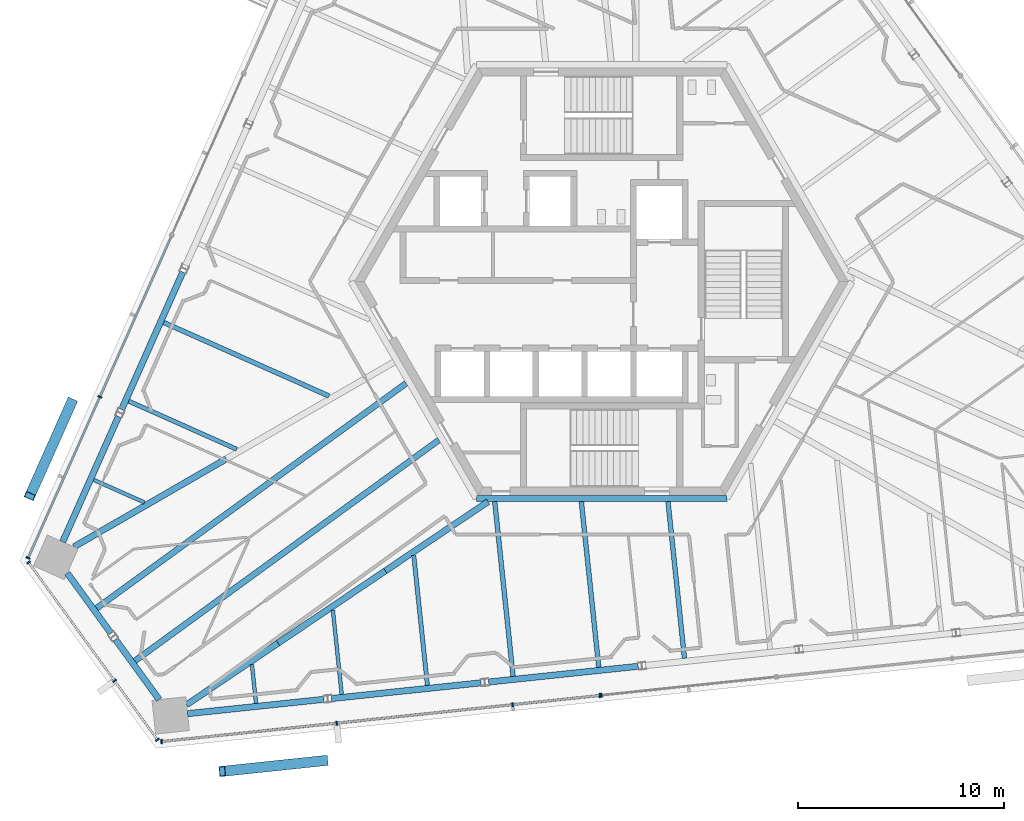
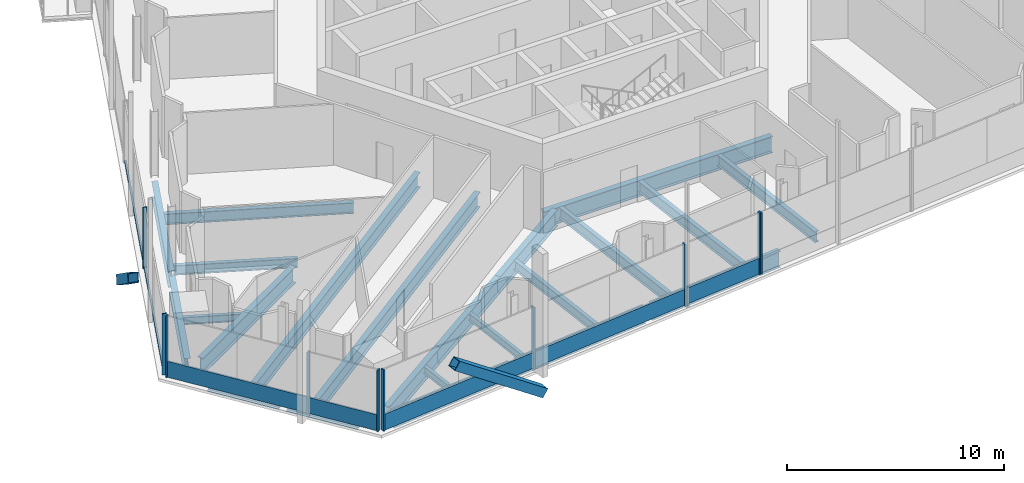
# One storey, part 4 of 21: 23 beams, 19 members, 4 elements without a shape of their own.
"""IFC4 building model written with IfcOpenShell, lengths in metres."""

from ifc_helpers import new_model, si_unit, direction, frame, origin, origin_2d, place, context, subcontext, project, spatial, rectangle, hollow_rectangle, i_section, extrude, source, transform, mapped, material, material_profile, profile_set, type_object, element, aggregate, save


model = new_model("IFC4")

# Units and contexts
model_context = context("Model", 3, precision=1e-05, world=origin(), true_north=direction((0.0, 1.0)))
body_context = subcontext(model_context, "Body", "Model", "MODEL_VIEW")
ifc_project = project(units=[si_unit("LENGTHUNIT", "METRE"), si_unit("AREAUNIT", "SQUARE_METRE"), si_unit("VOLUMEUNIT", "CUBIC_METRE"), si_unit("PLANEANGLEUNIT", "RADIAN"), si_unit("MASSUNIT", "GRAM", prefix="KILO")], contexts=[model_context])

# Site, building, storey
site_placement = place(None, origin())
site = spatial("IfcSite", under=ifc_project, at=site_placement, CompositionType="ELEMENT")
building_placement = place(site_placement, origin())
building = spatial("IfcBuilding", under=site, at=building_placement, Name="Triune Harvest Tower", CompositionType="ELEMENT")
storey_placement = place(building_placement, frame((0.0, 0.0, 248.5)))
storey = spatial("IfcBuildingStorey", under=building, at=storey_placement, Name="L65", CompositionType="ELEMENT", Elevation=248.5)

# Beams
ifc_material_1 = material(Name="Steel ASTM A992 Gr 50", Category="steel")
ifc_material_profile_1 = material_profile(ifc_material_1, i_section(OverallWidth=0.3046875, OverallDepth=0.914306640625, WebThickness=0.0166015625, FlangeThickness=0.02587890625, at=origin_2d()), Name="W36x160")
ifc_profile_set_1 = profile_set([ifc_material_profile_1], Name="Steel ASTM A992 Gr 50")
beam_type_1 = type_object("IfcBeamType", Name="CG-1 Core ring girder W36x160", PredefinedType="BEAM", material=ifc_profile_set_1)
shared_shape_1 = source(origin(), body_context, "Body", "SweptSolid", [
    extrude(i_section(OverallWidth=0.3046875, OverallDepth=0.914306640625, WebThickness=0.0166015625, FlangeThickness=0.02587890625, at=origin_2d()), origin(), (0.0, 0.0, 1.0), 12.17578125),
])
beam_1_placement = place(storey_placement, frame((-6.087890625, -10.544677734375, -0.6171875), z_axis=(1.0, 0.0, 0.0), x_axis=(0.0, 1.0, 0.0)))
element("IfcBeam", 1, at=beam_1_placement, inside=storey, type_object=beam_type_1, Name="beam/L65/CG5", PredefinedType="BEAM", context=body_context, shape_type="MappedRepresentation", body=[
    mapped(shared_shape_1, transform((0.0, 0.0, 0.0), scale=1.0)),
])
ifc_material_2 = material(Name="Steel ASTM A992 Gr 50", Category="steel")
ifc_material_profile_2 = material_profile(ifc_material_2, i_section(OverallWidth=0.3046875, OverallDepth=0.914306640625, WebThickness=0.0166015625, FlangeThickness=0.02587890625, at=origin_2d()), Name="W36x160")
ifc_profile_set_2 = profile_set([ifc_material_profile_2], Name="Steel ASTM A992 Gr 50")
beam_type_2 = type_object("IfcBeamType", Name="HG-3 Hip girder W36x160", PredefinedType="BEAM", material=ifc_profile_set_2)
shared_shape_2 = source(origin(), body_context, "Body", "SweptSolid", [
    extrude(i_section(OverallWidth=0.3046875, OverallDepth=0.914306640625, WebThickness=0.0166015625, FlangeThickness=0.02587890625, at=origin_2d()), origin(), (0.0, 0.0, 1.0), 6.293701171875),
])
beam_2_placement = place(storey_placement, frame((-15.72802734375, -17.576904296875, -0.6171875), z_axis=(0.829391075311, 0.558668456416, 0.0), x_axis=(-0.558668456416, 0.829391075311, 0.0)))
element("IfcBeam", 2, at=beam_2_placement, inside=storey, type_object=beam_type_2, Name="beam/L65/HG8", PredefinedType="BEAM", context=body_context, shape_type="MappedRepresentation", body=[
    mapped(shared_shape_2, transform((0.0, 0.0, 0.0), scale=1.0)),
])
shared_shape_3 = source(origin(), body_context, "Body", "SweptSolid", [
    extrude(i_section(OverallWidth=0.3046875, OverallDepth=0.914306640625, WebThickness=0.0166015625, FlangeThickness=0.02587890625, at=origin_2d()), origin(), (0.0, 0.0, 1.0), 6.02099609375),
])
beam_3_placement = place(storey_placement, frame((-10.508056640625, -14.060791015625, -0.6171875), z_axis=(0.829383245618, 0.558680080088, 0.0), x_axis=(-0.558680080088, 0.829383245618, 0.0)))
element("IfcBeam", 3, at=beam_3_placement, inside=storey, type_object=beam_type_2, Name="beam/L65/HG9", PredefinedType="BEAM", context=body_context, shape_type="MappedRepresentation", body=[
    mapped(shared_shape_3, transform((0.0, 0.0, 0.0), scale=1.0)),
])
ifc_material_3 = material(Name="Steel ASTM A992 Gr 50", Category="steel")
ifc_material_profile_3 = material_profile(ifc_material_3, i_section(OverallWidth=0.3046875, OverallDepth=0.914306640625, WebThickness=0.0166015625, FlangeThickness=0.02587890625, at=origin_2d()), Name="W36x160")
ifc_profile_set_3 = profile_set([ifc_material_profile_3], Name="Steel ASTM A992 Gr 50")
beam_type_3 = type_object("IfcBeamType", Name="SB-1 Spandrel beam W36x160", PredefinedType="SPANDREL", material=ifc_profile_set_3)
shared_shape_4 = source(origin(), body_context, "Body", "SweptSolid", [
    extrude(i_section(OverallWidth=0.3046875, OverallDepth=0.914306640625, WebThickness=0.0166015625, FlangeThickness=0.02587890625, at=origin_2d()), origin(), (0.0, 0.0, 1.0), 6.67041015625),
])
beam_4_placement = place(storey_placement, frame((-20.127685546875, -21.007080078125, -0.6171875), z_axis=(0.994521485501, 0.104532362822, 0.0), x_axis=(-0.104532362822, 0.994521485501, 0.0)))
element("IfcBeam", 4, at=beam_4_placement, inside=storey, type_object=beam_type_3, Name="beam/L65/SB17", PredefinedType="SPANDREL", context=body_context, shape_type="MappedRepresentation", body=[
    mapped(shared_shape_4, transform((0.0, 0.0, 0.0), scale=1.0)),
])
shared_shape_5 = source(origin(), body_context, "Body", "SweptSolid", [
    extrude(i_section(OverallWidth=0.3046875, OverallDepth=0.914306640625, WebThickness=0.0166015625, FlangeThickness=0.02587890625, at=origin_2d()), origin(), (0.0, 0.0, 1.0), 7.31103515625),
])
beam_5_placement = place(storey_placement, frame((-13.127685546875, -20.271240234375, -0.6171875), z_axis=(0.994522639393, 0.104521384101, 0.0), x_axis=(-0.104521384101, 0.994522639393, 0.0)))
element("IfcBeam", 5, at=beam_5_placement, inside=storey, type_object=beam_type_3, Name="beam/L65/SB18", PredefinedType="SPANDREL", context=body_context, shape_type="MappedRepresentation", body=[
    mapped(shared_shape_5, transform((0.0, 0.0, 0.0), scale=1.0)),
])
shared_shape_6 = source(origin(), body_context, "Body", "SweptSolid", [
    extrude(i_section(OverallWidth=0.3046875, OverallDepth=0.914306640625, WebThickness=0.0166015625, FlangeThickness=0.02587890625, at=origin_2d()), origin(), (0.0, 0.0, 1.0), 3.614990234375),
])
for number, where, z_axis, x_axis, name in (
    (6, (-25.974365234375, -14.175537109375, -0.6171875), (0.587818273033, -0.808993002373, 0.0), (0.808993002373, 0.587818273033, 0.0), "beam/L65/SB15"),
    (7, (-23.633056640625, -17.39794921875, -0.6171875), (0.587818273033, -0.808993002373, 0.0), (0.808993002373, 0.587818273033, 0.0), "beam/L65/SB16"),
):
    element("IfcBeam", number, at=place(storey_placement, frame(where, z_axis=z_axis, x_axis=x_axis)), inside=storey, type_object=beam_type_3, Name=name, PredefinedType="SPANDREL", context=body_context, shape_type="MappedRepresentation", body=[
        mapped(shared_shape_6, transform((0.0, 0.0, 0.0), scale=1.0)),
    ])
shared_shape_7 = source(origin(), body_context, "Body", "SweptSolid", [
    extrude(i_section(OverallWidth=0.3046875, OverallDepth=0.914306640625, WebThickness=0.0166015625, FlangeThickness=0.02587890625, at=origin_2d()), origin(), (0.0, 0.0, 1.0), 6.670166015625),
])
beam_6_placement = place(storey_placement, frame((-23.485595703125, -6.5576171875, -0.6171875), z_axis=(-0.406722507275, -0.913551751176, 0.0), x_axis=(0.913551751176, -0.406722507275, 0.0)))
element("IfcBeam", 8, at=beam_6_placement, inside=storey, type_object=beam_type_3, Name="beam/L65/SB14", PredefinedType="SPANDREL", context=body_context, shape_type="MappedRepresentation", body=[
    mapped(shared_shape_7, transform((0.0, 0.0, 0.0), scale=1.0)),
])
shared_shape_8 = source(origin(), body_context, "Body", "SweptSolid", [
    extrude(i_section(OverallWidth=0.3046875, OverallDepth=0.914306640625, WebThickness=0.0166015625, FlangeThickness=0.02587890625, at=origin_2d()), origin(), (0.0, 0.0, 1.0), 7.311279296875),
])
for number, where, z_axis, x_axis, name in (
    (9, (-20.362060546875, 0.4580078125, -0.6171875), (-0.406720859208, -0.91355248491, 0.0), (0.91355248491, -0.406720859208, 0.0), "beam/L65/SB13"),
    (10, (-5.490478515625, -19.468505859375, -0.6171875), (0.994519532674, 0.104550940362, 0.0), (-0.104550940362, 0.994519532674, 0.0), "beam/L65/SB19"),
):
    element("IfcBeam", number, at=place(storey_placement, frame(where, z_axis=z_axis, x_axis=x_axis)), inside=storey, type_object=beam_type_3, Name=name, PredefinedType="SPANDREL", context=body_context, shape_type="MappedRepresentation", body=[
        mapped(shared_shape_8, transform((0.0, 0.0, 0.0), scale=1.0)),
    ])
shared_shape_9 = source(origin(), body_context, "Body", "SweptSolid", [
    extrude(i_section(OverallWidth=0.3046875, OverallDepth=0.914306640625, WebThickness=0.0166015625, FlangeThickness=0.02587890625, at=origin_2d()), origin(), (0.0, 0.0, 1.0), 8.548583984375),
])
beam_7_placement = place(storey_placement, frame((-25.651123046875, -12.89501953125, -0.6171875), z_axis=(0.866020080793, 0.500009219579, 0.0), x_axis=(-0.500009219579, 0.866020080793, 0.0)))
element("IfcBeam", 11, at=beam_7_placement, inside=storey, type_object=beam_type_2, Name="beam/L65/HG5", PredefinedType="BEAM", context=body_context, shape_type="MappedRepresentation", body=[
    mapped(shared_shape_9, transform((0.0, 0.0, 0.0), scale=1.0)),
])
shared_shape_10 = source(origin(), body_context, "Body", "SweptSolid", [
    extrude(i_section(OverallWidth=0.3046875, OverallDepth=0.914306640625, WebThickness=0.0166015625, FlangeThickness=0.02587890625, at=origin_2d()), origin(), (0.0, 0.0, 1.0), 5.35986328125),
])
beam_8_placement = place(storey_placement, frame((-20.173583984375, -20.5712890625, -0.6171875), z_axis=(0.829399024376, 0.558656655169, 0.0), x_axis=(-0.558656655169, 0.829399024376, 0.0)))
element("IfcBeam", 12, at=beam_8_placement, inside=storey, type_object=beam_type_2, Name="beam/L65/HG7", PredefinedType="BEAM", context=body_context, shape_type="MappedRepresentation", body=[
    mapped(shared_shape_10, transform((0.0, 0.0, 0.0), scale=1.0)),
])
ifc_material_4 = material(Name="Steel ASTM A992 Gr 50", Category="steel")
ifc_material_profile_4 = material_profile(ifc_material_4, i_section(OverallWidth=0.2099609375, OverallDepth=0.535888671875, WebThickness=0.010986328125, FlangeThickness=0.017333984375, at=origin_2d()), Name="W21x68")
ifc_profile_set_4 = profile_set([ifc_material_profile_4], Name="Steel ASTM A992 Gr 50")
beam_type_4 = type_object("IfcBeamType", Name="JT-2 Floor joist W21x68", PredefinedType="JOIST", material=ifc_profile_set_4)
shared_shape_11 = source(origin(), body_context, "Body", "SweptSolid", [
    extrude(i_section(OverallWidth=0.2099609375, OverallDepth=0.535888671875, WebThickness=0.010986328125, FlangeThickness=0.017333984375, at=origin_2d()), origin(), (0.0, 0.0, 1.0), 6.346435546875),
])
beam_9_placement = place(storey_placement, frame((-8.466552734375, -19.628173828125, -0.427978515625), z_axis=(-0.104518578592, 0.99452293424, 0.0), x_axis=(-0.99452293424, -0.104518578592, 0.0)))
element("IfcBeam", 13, at=beam_9_placement, inside=storey, type_object=beam_type_4, Name="beam/L65/JT27", PredefinedType="JOIST", context=body_context, shape_type="MappedRepresentation", body=[
    mapped(shared_shape_11, transform((0.0, 0.0, 0.0), scale=1.0)),
])
ifc_material_5 = material(Name="Steel ASTM A992 Gr 50", Category="steel")
ifc_material_profile_5 = material_profile(ifc_material_5, i_section(OverallWidth=0.22900390625, OverallDepth=0.612060546875, WebThickness=0.011962890625, FlangeThickness=0.01953125, at=origin_2d()), Name="W24x84")
ifc_profile_set_5 = profile_set([ifc_material_profile_5], Name="Steel ASTM A992 Gr 50")
beam_type_5 = type_object("IfcBeamType", Name="JT-3 Floor joist W24x84", PredefinedType="JOIST", material=ifc_profile_set_5)
shared_shape_12 = source(origin(), body_context, "Body", "SweptSolid", [
    extrude(i_section(OverallWidth=0.22900390625, OverallDepth=0.612060546875, WebThickness=0.011962890625, FlangeThickness=0.01953125, at=origin_2d()), origin(), (0.0, 0.0, 1.0), 8.099609375),
])
beam_10_placement = place(storey_placement, frame((-0.135009765625, -18.752197265625, -0.466064453125), z_axis=(-0.104534153452, 0.994521297289, 0.0), x_axis=(-0.994521297289, -0.104534153452, 0.0)))
element("IfcBeam", 14, at=beam_10_placement, inside=storey, type_object=beam_type_5, Name="beam/L65/JT29", PredefinedType="JOIST", context=body_context, shape_type="MappedRepresentation", body=[
    mapped(shared_shape_12, transform((0.0, 0.0, 0.0), scale=1.0)),
])
shared_shape_13 = source(origin(), body_context, "Body", "SweptSolid", [
    extrude(i_section(OverallWidth=0.22900390625, OverallDepth=0.612060546875, WebThickness=0.011962890625, FlangeThickness=0.01953125, at=origin_2d()), origin(), (0.0, 0.0, 1.0), 7.659423828125),
])
beam_11_placement = place(storey_placement, frame((4.031005859375, -18.314453125, -0.466064453125), z_axis=(-0.104548726976, 0.994519765358, 0.0), x_axis=(-0.994519765358, -0.104548726976, 0.0)))
element("IfcBeam", 15, at=beam_11_placement, inside=storey, type_object=beam_type_5, Name="beam/L65/JT30", PredefinedType="JOIST", context=body_context, shape_type="MappedRepresentation", body=[
    mapped(shared_shape_13, transform((0.0, 0.0, 0.0), scale=1.0)),
])
shared_shape_14 = source(origin(), body_context, "Body", "SweptSolid", [
    extrude(i_section(OverallWidth=0.22900390625, OverallDepth=0.612060546875, WebThickness=0.011962890625, FlangeThickness=0.01953125, at=origin_2d()), origin(), (0.0, 0.0, 1.0), 8.789306640625),
])
beam_12_placement = place(storey_placement, frame((-21.28369140625, -1.98681640625, -0.466064453125), z_axis=(0.913542165142, -0.406744038074, 0.0), x_axis=(0.406744038074, 0.913542165142, 0.0)))
element("IfcBeam", 16, at=beam_12_placement, inside=storey, type_object=beam_type_5, Name="beam/L65/JT20", PredefinedType="JOIST", context=body_context, shape_type="MappedRepresentation", body=[
    mapped(shared_shape_14, transform((0.0, 0.0, 0.0), scale=1.0)),
])
shared_shape_15 = source(origin(), body_context, "Body", "SweptSolid", [
    extrude(i_section(OverallWidth=0.2099609375, OverallDepth=0.535888671875, WebThickness=0.010986328125, FlangeThickness=0.017333984375, at=origin_2d()), origin(), (0.0, 0.0, 1.0), 5.745849609375),
])
beam_13_placement = place(storey_placement, frame((-22.987548828125, -5.8134765625, -0.427978515625), z_axis=(0.913552037091, -0.406721865071, 0.0), x_axis=(0.406721865071, 0.913552037091, 0.0)))
element("IfcBeam", 17, at=beam_13_placement, inside=storey, type_object=beam_type_4, Name="beam/L65/JT21", PredefinedType="JOIST", context=body_context, shape_type="MappedRepresentation", body=[
    mapped(shared_shape_15, transform((0.0, 0.0, 0.0), scale=1.0)),
])
ifc_material_6 = material(Name="Steel ASTM A992 Gr 50", Category="steel")
ifc_material_profile_6 = material_profile(ifc_material_6, i_section(OverallWidth=0.2919921875, OverallDepth=0.8408203125, WebThickness=0.0146484375, FlangeThickness=0.021728515625, at=origin_2d()), Name="W33x130")
ifc_profile_set_6 = profile_set([ifc_material_profile_6], Name="Steel ASTM A992 Gr 50")
beam_type_6 = type_object("IfcBeamType", Name="JT-6 Floor joist W33x130", PredefinedType="JOIST", material=ifc_profile_set_6)
shared_shape_16 = source(origin(), body_context, "Body", "SweptSolid", [
    extrude(i_section(OverallWidth=0.2919921875, OverallDepth=0.8408203125, WebThickness=0.0146484375, FlangeThickness=0.021728515625, at=origin_2d()), origin(), (0.0, 0.0, 1.0), 18.27099609375),
])
beam_14_placement = place(storey_placement, frame((-22.68701171875, -18.44091796875, -0.580322265625), z_axis=(0.809013927609, 0.587789473311, 0.0), x_axis=(-0.587789473311, 0.809013927609, 0.0)))
element("IfcBeam", 18, at=beam_14_placement, inside=storey, type_object=beam_type_6, Name="beam/L65/JT24", PredefinedType="JOIST", context=body_context, shape_type="MappedRepresentation", body=[
    mapped(shared_shape_16, transform((0.0, 0.0, 0.0), scale=1.0)),
])
ifc_material_7 = material(Name="Steel ASTM A992 Gr 50", Category="steel")
ifc_material_profile_7 = material_profile(ifc_material_7, i_section(OverallWidth=0.180908203125, OverallDepth=0.41650390625, WebThickness=0.010986328125, FlangeThickness=0.01806640625, at=origin_2d()), Name="W16x57")
ifc_profile_set_7 = profile_set([ifc_material_profile_7], Name="Steel ASTM A992 Gr 50")
beam_type_7 = type_object("IfcBeamType", Name="JT-1 Floor joist W16x57", PredefinedType="JOIST", material=ifc_profile_set_7)
shared_shape_17 = source(origin(), body_context, "Body", "SweptSolid", [
    extrude(i_section(OverallWidth=0.180908203125, OverallDepth=0.41650390625, WebThickness=0.010986328125, FlangeThickness=0.01806640625, at=origin_2d()), origin(), (0.0, 0.0, 1.0), 1.899169921875),
])
beam_15_placement = place(storey_placement, frame((-16.79833984375, -20.50390625, -0.368408203125), z_axis=(-0.104517481806, 0.994523049505, 0.0), x_axis=(-0.994523049505, -0.104517481806, 0.0)))
element("IfcBeam", 19, at=beam_15_placement, inside=storey, type_object=beam_type_7, Name="beam/L65/JT25", PredefinedType="JOIST", context=body_context, shape_type="MappedRepresentation", body=[
    mapped(shared_shape_17, transform((0.0, 0.0, 0.0), scale=1.0)),
])
shared_shape_18 = source(origin(), body_context, "Body", "SweptSolid", [
    extrude(i_section(OverallWidth=0.180908203125, OverallDepth=0.41650390625, WebThickness=0.010986328125, FlangeThickness=0.01806640625, at=origin_2d()), origin(), (0.0, 0.0, 1.0), 4.12255859375),
])
beam_16_placement = place(storey_placement, frame((-12.632568359375, -20.06591796875, -0.368408203125), z_axis=(-0.104521403768, 0.994522637326, 0.0), x_axis=(-0.994522637326, -0.104521403768, 0.0)))
element("IfcBeam", 20, at=beam_16_placement, inside=storey, type_object=beam_type_7, Name="beam/L65/JT26", PredefinedType="JOIST", context=body_context, shape_type="MappedRepresentation", body=[
    mapped(shared_shape_18, transform((0.0, 0.0, 0.0), scale=1.0)),
])
shared_shape_19 = source(origin(), body_context, "Body", "SweptSolid", [
    extrude(i_section(OverallWidth=0.180908203125, OverallDepth=0.41650390625, WebThickness=0.010986328125, FlangeThickness=0.01806640625, at=origin_2d()), origin(), (0.0, 0.0, 1.0), 2.702392578125),
])
beam_17_placement = place(storey_placement, frame((-24.691162109375, -9.64013671875, -0.368408203125), z_axis=(0.913550575703, -0.406725147529, 0.0), x_axis=(0.406725147529, 0.913550575703, 0.0)))
element("IfcBeam", 21, at=beam_17_placement, inside=storey, type_object=beam_type_7, Name="beam/L65/JT22", PredefinedType="JOIST", context=body_context, shape_type="MappedRepresentation", body=[
    mapped(shared_shape_19, transform((0.0, 0.0, 0.0), scale=1.0)),
])
shared_shape_20 = source(origin(), body_context, "Body", "SweptSolid", [
    extrude(i_section(OverallWidth=0.2919921875, OverallDepth=0.8408203125, WebThickness=0.0146484375, FlangeThickness=0.021728515625, at=origin_2d()), origin(), (0.0, 0.0, 1.0), 18.603515625),
])
beam_18_placement = place(storey_placement, frame((-24.548828125, -15.8779296875, -0.580322265625), z_axis=(0.809011797406, 0.58779240524, 0.0), x_axis=(-0.58779240524, 0.809011797406, 0.0)))
element("IfcBeam", 22, at=beam_18_placement, inside=storey, type_object=beam_type_6, Name="beam/L65/JT23", PredefinedType="JOIST", context=body_context, shape_type="MappedRepresentation", body=[
    mapped(shared_shape_20, transform((0.0, 0.0, 0.0), scale=1.0)),
])
shared_shape_21 = source(origin(), body_context, "Body", "SweptSolid", [
    extrude(i_section(OverallWidth=0.22900390625, OverallDepth=0.612060546875, WebThickness=0.011962890625, FlangeThickness=0.01953125, at=origin_2d()), origin(), (0.0, 0.0, 1.0), 8.5400390625),
])
beam_19_placement = place(storey_placement, frame((-4.30078125, -19.190185546875, -0.466064453125), z_axis=(-0.104546386162, 0.994520011433, 0.0), x_axis=(-0.994520011433, -0.104546386162, 0.0)))
element("IfcBeam", 23, at=beam_19_placement, inside=storey, type_object=beam_type_5, Name="beam/L65/JT28", PredefinedType="JOIST", context=body_context, shape_type="MappedRepresentation", body=[
    mapped(shared_shape_21, transform((0.0, 0.0, 0.0), scale=1.0)),
])

# Members
ifc_material_8 = material(Name="Steel ASTM A572 Gr 50", Category="steel")
ifc_material_profile_8 = material_profile(ifc_material_8, hollow_rectangle(XDim=0.5, YDim=0.5, WallThickness=0.030029296875, at=origin_2d()), Name="Box 500x500x30")
ifc_profile_set_8 = profile_set([ifc_material_profile_8], Name="Steel ASTM A572 Gr 50")
member_type_1 = type_object("IfcMemberType", Name="BR-3 Brace Box 500x500x30", PredefinedType="BRACE", material=ifc_profile_set_8)
shared_shape_22 = source(origin(), body_context, "Body", "SweptSolid", [
    extrude(hollow_rectangle(XDim=0.5, YDim=0.5, WallThickness=0.030029296875, at=origin_2d()), origin(), (0.0, 0.0, 1.0), 6.1708984375),
])
for number, where, z_axis, x_axis, name in (
    (24, (-25.75830078125, -5.846435546875, 0.0), (-0.330352036276, -0.741966717165, 0.583397739752), (0.913542177249, -0.406744010879, 0.0), "brace/B6-F3/d1/9"),
    (25, (-13.45751953125, -23.28759765625, 0.0), (-0.807731140993, -0.084903557434, 0.583405339199), (0.104537710696, -0.994520923381, 0.0), "brace/B6-F5/d2/9"),
):
    element("IfcMember", number, at=place(storey_placement, frame(where, z_axis=z_axis, x_axis=x_axis)), inside=storey, type_object=member_type_1, Name=name, PredefinedType="BRACE", context=body_context, shape_type="MappedRepresentation", body=[
        mapped(shared_shape_22, transform((0.0, 0.0, 0.0), scale=1.0)),
    ])

# Curtain wall, members
ifc_material_9 = material(Name="Aluminium bronze anodised", Category="aluminium")
curtain_wall_type_1 = type_object("IfcCurtainWallType", Name="CW-7 Tower stick curtain wall with insulated spandrel infill", PredefinedType="NOTDEFINED", material=ifc_material_9)
curtain_wall_1_placement = place(storey_placement, origin())
curtain_wall_1 = element("IfcCurtainWall", 26, at=curtain_wall_1_placement, inside=storey, type_object=curtain_wall_type_1, Name="CW-7 B6-F4 L65 run 1")
ifc_material_10 = material(Name="Aluminium bronze anodised", Category="aluminium")
ifc_material_profile_9 = material_profile(ifc_material_10, rectangle(XDim=0.199951171875, YDim=0.074951171875, at=origin_2d()), Name="MU-1 mullion 75 x 200")
ifc_profile_set_9 = profile_set([ifc_material_profile_9], Name="Aluminium bronze anodised")
member_type_2 = type_object("IfcMemberType", Name="MU-1 mullion 75 x 200", PredefinedType="MULLION", material=ifc_profile_set_9)
shared_shape_23 = source(origin(), body_context, "Body", "SweptSolid", [
    extrude(rectangle(XDim=0.199951171875, YDim=0.074951171875, at=origin_2d()), origin(), (0.0, 0.0, 1.0), 3.43994140625),
])
member_1_placement = place(storey_placement, frame((-27.855224609375, -13.654541015625, 0.0), z_axis=(0.0, 0.0, 1.0), x_axis=(0.809014317982, 0.587788936013, 0.0)))
member_1 = element("IfcMember", 27, at=member_1_placement, type_object=member_type_2, Name="CW-7 mullion B6-F4 1.1", PredefinedType="MULLION", context=body_context, shape_type="MappedRepresentation", body=[
    mapped(shared_shape_23, transform((0.0, 0.0, 0.0), scale=1.0)),
])
member_2_placement = place(storey_placement, frame((-23.673828125, -19.409912109375, 0.0), z_axis=(0.0, 0.0, 1.0), x_axis=(0.809014317982, 0.587788936013, 0.0)))
member_2 = element("IfcMember", 28, at=member_2_placement, type_object=member_type_2, Name="CW-7 mullion B6-F4 1.3", PredefinedType="MULLION", context=body_context, shape_type="MappedRepresentation", body=[
    mapped(shared_shape_23, transform((0.0, 0.0, 0.0), scale=1.0)),
])
member_3_placement = place(storey_placement, frame((-21.593994140625, -22.272216796875, 0.0), z_axis=(0.0, 0.0, 1.0), x_axis=(0.809014317982, 0.587788936013, 0.0)))
member_3 = element("IfcMember", 29, at=member_3_placement, type_object=member_type_2, Name="CW-7 mullion B6-F4 1.4", PredefinedType="MULLION", context=body_context, shape_type="MappedRepresentation", body=[
    mapped(shared_shape_23, transform((0.0, 0.0, 0.0), scale=1.0)),
])

curtain_wall_2_placement = place(storey_placement, origin())
curtain_wall_2 = element("IfcCurtainWall", 30, at=curtain_wall_2_placement, inside=storey, type_object=curtain_wall_type_1, Name="CW-7 B6-F5 L65 run 1")
member_4_placement = place(storey_placement, frame((-21.392333984375, -22.362060546875, 0.0), z_axis=(0.0, 0.0, 1.0), x_axis=(-0.104529509988, 0.994521785353, 0.0)))
member_4 = element("IfcMember", 31, at=member_4_placement, type_object=member_type_2, Name="CW-7 mullion B6-F5 1.1", PredefinedType="MULLION", context=body_context, shape_type="MappedRepresentation", body=[
    mapped(shared_shape_23, transform((0.0, 0.0, 0.0), scale=1.0)),
])
member_5_placement = place(storey_placement, frame((-12.876708984375, -21.467041015625, 0.0), z_axis=(0.0, 0.0, 1.0), x_axis=(-0.104529509988, 0.994521785353, 0.0)))
member_5 = element("IfcMember", 32, at=member_5_placement, type_object=member_type_2, Name="CW-7 mullion B6-F5 1.3", PredefinedType="MULLION", context=body_context, shape_type="MappedRepresentation", body=[
    mapped(shared_shape_23, transform((0.0, 0.0, 0.0), scale=1.0)),
])
member_6_placement = place(storey_placement, frame((-4.32373046875, -20.568115234375, 0.0), z_axis=(0.0, 0.0, 1.0), x_axis=(-0.104529509988, 0.994521785353, 0.0)))
member_6 = element("IfcMember", 33, at=member_6_placement, type_object=member_type_2, Name="CW-7 mullion B6-F5 1.5", PredefinedType="MULLION", context=body_context, shape_type="MappedRepresentation", body=[
    mapped(shared_shape_23, transform((0.0, 0.0, 0.0), scale=1.0)),
])
member_7_placement = place(storey_placement, frame((-0.08447265625, -20.12255859375, 0.0), z_axis=(0.0, 0.0, 1.0), x_axis=(-0.104529509988, 0.994521785353, 0.0)))
member_7 = element("IfcMember", 34, at=member_7_placement, type_object=member_type_2, Name="CW-7 mullion B6-F5 1.6", PredefinedType="MULLION", context=body_context, shape_type="MappedRepresentation", body=[
    mapped(shared_shape_23, transform((0.0, 0.0, 0.0), scale=1.0)),
])

# Curtain wall, member
ifc_material_11 = material(Name="Aluminium bronze anodised", Category="aluminium")
curtain_wall_type_2 = type_object("IfcCurtainWallType", Name="CW-1 Tower stick curtain wall", PredefinedType="NOTDEFINED", material=ifc_material_11)
curtain_wall_3_placement = place(storey_placement, origin())
curtain_wall_3 = element("IfcCurtainWall", 35, at=curtain_wall_3_placement, inside=storey, type_object=curtain_wall_type_2, Name="CW-1 B6-F5 L65 run 1001")
member_8_placement = place(storey_placement, frame((-0.010009765625, -20.11474609375, 0.0), z_axis=(0.0, 0.0, 1.0), x_axis=(-0.104534672126, 0.994521242771, 0.0)))
member_8 = element("IfcMember", 36, at=member_8_placement, type_object=member_type_2, Name="CW-1 mullion B6-F5 1001.1", PredefinedType="MULLION", context=body_context, shape_type="MappedRepresentation", body=[
    mapped(shared_shape_23, transform((0.0, 0.0, 0.0), scale=1.0)),
])
aggregate(curtain_wall_3, [member_8])

# Curtain wall, members
ifc_material_12 = material(Name="Aluminium bronze anodised", Category="aluminium")
curtain_wall_type_3 = type_object("IfcCurtainWallType", Name="CW-10 Balcony window wall with insulated spandrel infill", PredefinedType="NOTDEFINED", material=ifc_material_12)
curtain_wall_4_placement = place(storey_placement, origin())
curtain_wall_4 = element("IfcCurtainWall", 37, at=curtain_wall_4_placement, inside=storey, type_object=curtain_wall_type_3, Name="CW-10 B6-F3 L65 run 2002")
ifc_material_13 = material(Name="Aluminium bronze anodised", Category="aluminium")
ifc_material_profile_10 = material_profile(ifc_material_13, rectangle(XDim=0.199951171875, YDim=0.074951171875, at=origin_2d()), Name="MU-6 mullion 75 x 200")
ifc_profile_set_10 = profile_set([ifc_material_profile_10], Name="Aluminium bronze anodised")
member_type_3 = type_object("IfcMemberType", Name="MU-6 mullion 75 x 200", PredefinedType="MULLION", material=ifc_profile_set_10)
shared_shape_24 = source(origin(), body_context, "Body", "SweptSolid", [
    extrude(rectangle(XDim=0.199951171875, YDim=0.074951171875, at=origin_2d()), origin(), (0.0, 0.0, 1.0), 3.43994140625),
])
member_9_placement = place(storey_placement, frame((-24.392578125, -5.6064453125, 0.0), z_axis=(0.0, 0.0, 1.0), x_axis=(0.913545883242, -0.406735687162, 0.0)))
member_9 = element("IfcMember", 38, at=member_9_placement, type_object=member_type_3, Name="CW-10 mullion B6-F3 2002.3", PredefinedType="MULLION", context=body_context, shape_type="MappedRepresentation", body=[
    mapped(shared_shape_24, transform((0.0, 0.0, 0.0), scale=1.0)),
])
member_10_placement = place(storey_placement, frame((-27.878173828125, -13.43505859375, 0.0), z_axis=(0.0, 0.0, 1.0), x_axis=(0.913545883242, -0.406735687162, 0.0)))
member_10 = element("IfcMember", 39, at=member_10_placement, type_object=member_type_3, Name="CW-10 mullion B6-F3 2002.5", PredefinedType="MULLION", context=body_context, shape_type="MappedRepresentation", body=[
    mapped(shared_shape_24, transform((0.0, 0.0, 0.0), scale=1.0)),
])

# Member
ifc_material_14 = material(Name="Aluminium bronze anodised", Category="aluminium")
ifc_material_profile_11 = material_profile(ifc_material_14, rectangle(XDim=0.090087890625, YDim=0.89990234375, at=origin_2d()), Name="TR-1 transom 90 x 900")
ifc_profile_set_11 = profile_set([ifc_material_profile_11], Name="Aluminium bronze anodised")
member_type_4 = type_object("IfcMemberType", Name="TR-1 transom 90 x 900", PredefinedType="USERDEFINED", material=ifc_profile_set_11)
shared_shape_25 = source(origin(), body_context, "Body", "SweptSolid", [
    extrude(rectangle(XDim=0.090087890625, YDim=0.89990234375, at=origin_2d()), origin(), (0.0, 0.0, 1.0), 7.03857421875),
])
member_11_placement = place(storey_placement, frame((-27.8330078125, -13.68505859375, 0.449951171875), z_axis=(0.587788023707, -0.809014980817, 0.0), x_axis=(0.809014980817, 0.587788023707, 0.0)))
member_11 = element("IfcMember", 40, at=member_11_placement, type_object=member_type_4, Name="CW-7 transom B6-F4 1.1", ObjectType="TRANSOM", PredefinedType="USERDEFINED", context=body_context, shape_type="MappedRepresentation", body=[
    mapped(shared_shape_25, transform((0.0, 0.0, 0.0), scale=1.0)),
])

shared_shape_26 = source(origin(), body_context, "Body", "SweptSolid", [
    extrude(rectangle(XDim=0.090087890625, YDim=0.89990234375, at=origin_2d()), origin(), (0.0, 0.0, 1.0), 3.463134765625),
])
member_12_placement = place(storey_placement, frame((-23.651611328125, -19.440185546875, 0.449951171875), z_axis=(0.58779438563, -0.809010358538, 0.0), x_axis=(0.809010358538, 0.58779438563, 0.0)))
member_12 = element("IfcMember", 41, at=member_12_placement, type_object=member_type_4, Name="CW-7 transom B6-F4 1.2", ObjectType="TRANSOM", PredefinedType="USERDEFINED", context=body_context, shape_type="MappedRepresentation", body=[
    mapped(shared_shape_26, transform((0.0, 0.0, 0.0), scale=1.0)),
])

aggregate(curtain_wall_1, [member_1, member_2, member_3, member_11, member_12])

ifc_material_15 = material(Name="Aluminium bronze anodised", Category="aluminium")
ifc_material_profile_12 = material_profile(ifc_material_15, rectangle(XDim=0.090087890625, YDim=0.14990234375, at=origin_2d()), Name="TR-6 transom 90 x 150")
ifc_profile_set_12 = profile_set([ifc_material_profile_12], Name="Aluminium bronze anodised")
member_type_5 = type_object("IfcMemberType", Name="TR-6 transom 90 x 150", PredefinedType="USERDEFINED", material=ifc_profile_set_12)
shared_shape_27 = source(origin(), body_context, "Body", "SweptSolid", [
    extrude(rectangle(XDim=0.090087890625, YDim=0.14990234375, at=origin_2d()), origin(), (0.0, 0.0, 1.0), 8.49462890625),
])
member_13_placement = place(storey_placement, frame((-24.407958984375, -5.640625, 0.074951171875), z_axis=(-0.406735707839, -0.913545874036, 0.0), x_axis=(0.913545874036, -0.406735707839, 0.0)))
member_13 = element("IfcMember", 42, at=member_13_placement, type_object=member_type_5, Name="CW-10 transom B6-F3 2002.2", ObjectType="TRANSOM", PredefinedType="USERDEFINED", context=body_context, shape_type="MappedRepresentation", body=[
    mapped(shared_shape_27, transform((0.0, 0.0, 0.0), scale=1.0)),
])

shared_shape_28 = source(origin(), body_context, "Body", "SweptSolid", [
    extrude(rectangle(XDim=0.090087890625, YDim=0.14990234375, at=origin_2d()), origin(), (0.0, 0.0, 1.0), 8.494384765625),
])
member_14_placement = place(storey_placement, frame((-20.92236328125, 2.18798828125, 0.074951171875), z_axis=(-0.406746387253, -0.913541119193, 0.0), x_axis=(0.913541119193, -0.406746387253, 0.0)))
member_14 = element("IfcMember", 43, at=member_14_placement, type_object=member_type_5, Name="CW-10 transom B6-F3 2002.1", ObjectType="TRANSOM", PredefinedType="USERDEFINED", context=body_context, shape_type="MappedRepresentation", body=[
    mapped(shared_shape_28, transform((0.0, 0.0, 0.0), scale=1.0)),
])

aggregate(curtain_wall_4, [member_9, member_10, member_14, member_13])

shared_shape_29 = source(origin(), body_context, "Body", "SweptSolid", [
    extrude(rectangle(XDim=0.090087890625, YDim=0.89990234375, at=origin_2d()), origin(), (0.0, 0.0, 1.0), 4.1875),
])
member_15_placement = place(storey_placement, frame((-4.286376953125, -20.564208984375, 0.449951171875), z_axis=(0.994521095578, 0.10453607248, 0.0), x_axis=(-0.10453607248, 0.994521095578, 0.0)))
member_15 = element("IfcMember", 44, at=member_15_placement, type_object=member_type_4, Name="CW-7 transom B6-F5 1.3", ObjectType="TRANSOM", PredefinedType="USERDEFINED", context=body_context, shape_type="MappedRepresentation", body=[
    mapped(shared_shape_29, transform((0.0, 0.0, 0.0), scale=1.0)),
])

shared_shape_30 = source(origin(), body_context, "Body", "SweptSolid", [
    extrude(rectangle(XDim=0.090087890625, YDim=0.89990234375, at=origin_2d()), origin(), (0.0, 0.0, 1.0), 8.4873046875),
])
member_16_placement = place(storey_placement, frame((-21.35498046875, -22.358154296875, 0.449951171875), z_axis=(0.994521518077, 0.104532052892, 0.0), x_axis=(-0.104532052892, 0.994521518077, 0.0)))
member_16 = element("IfcMember", 45, at=member_16_placement, type_object=member_type_4, Name="CW-7 transom B6-F5 1.1", ObjectType="TRANSOM", PredefinedType="USERDEFINED", context=body_context, shape_type="MappedRepresentation", body=[
    mapped(shared_shape_30, transform((0.0, 0.0, 0.0), scale=1.0)),
])

shared_shape_31 = source(origin(), body_context, "Body", "SweptSolid", [
    extrude(rectangle(XDim=0.090087890625, YDim=0.89990234375, at=origin_2d()), origin(), (0.0, 0.0, 1.0), 8.52490234375),
])
member_17_placement = place(storey_placement, frame((-12.83935546875, -21.463134765625, 0.449951171875), z_axis=(0.994521760736, 0.104529744196, 0.0), x_axis=(-0.104529744196, 0.994521760736, 0.0)))
member_17 = element("IfcMember", 46, at=member_17_placement, type_object=member_type_4, Name="CW-7 transom B6-F5 1.2", ObjectType="TRANSOM", PredefinedType="USERDEFINED", context=body_context, shape_type="MappedRepresentation", body=[
    mapped(shared_shape_31, transform((0.0, 0.0, 0.0), scale=1.0)),
])

aggregate(curtain_wall_2, [member_4, member_5, member_6, member_7, member_16, member_17, member_15])

save(model, "model.ifc")
